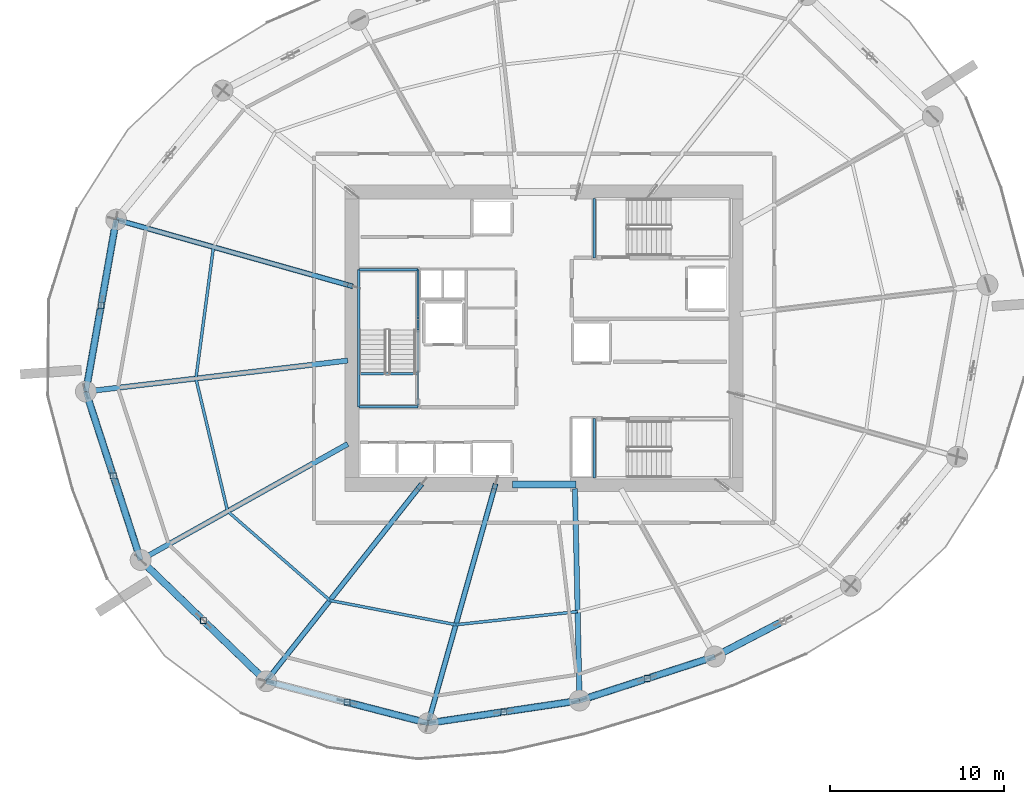
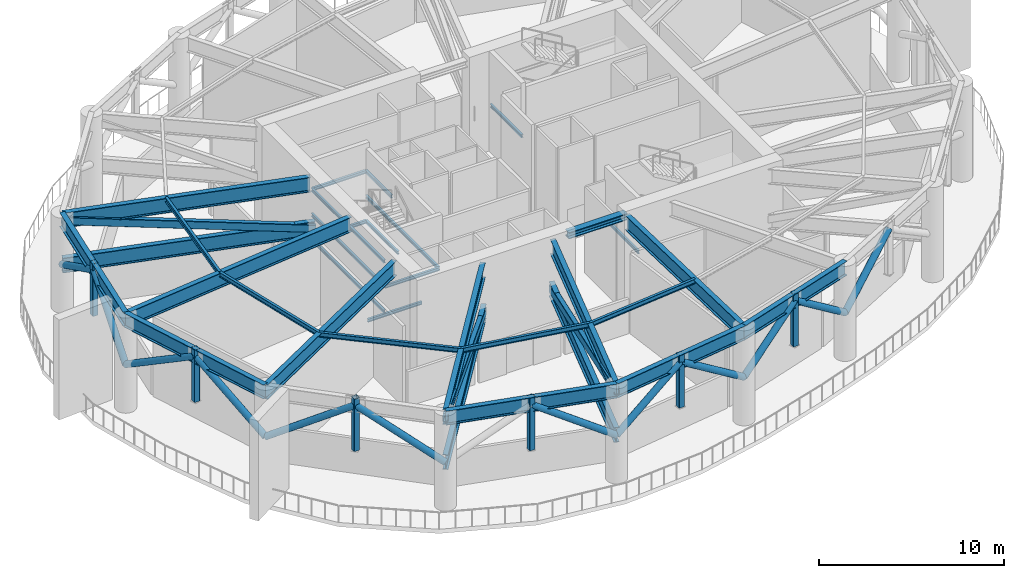
# One storey, part 5 of 19: 32 beams, 21 members.
"""IFC4 building model written with IfcOpenShell, lengths in metres."""

from ifc_helpers import new_model, si_unit, direction, frame, origin, origin_2d, place, context, subcontext, project, spatial, hollow_rectangle, hollow_circle, i_section, extrude, material, material_profile, profile_set, type_object, element, save


model = new_model("IFC4")

# Units and contexts
model_context = context("Model", 3, precision=1e-05, world=origin(), true_north=direction((0.0, 1.0)))
body_context = subcontext(model_context, "Body", "Model", "MODEL_VIEW")
ifc_project = project(units=[si_unit("LENGTHUNIT", "METRE"), si_unit("AREAUNIT", "SQUARE_METRE"), si_unit("VOLUMEUNIT", "CUBIC_METRE"), si_unit("PLANEANGLEUNIT", "RADIAN"), si_unit("MASSUNIT", "GRAM", prefix="KILO")], contexts=[model_context])

# Site, building, storey
site_placement = place(None, origin())
site = spatial("IfcSite", under=ifc_project, at=site_placement, CompositionType="ELEMENT")
building_placement = place(site_placement, origin())
building = spatial("IfcBuilding", under=site, at=building_placement, Name="Kazma Halo Residences", CompositionType="ELEMENT")
storey_placement = place(building_placement, frame((0.0, 0.0, 116.39990234375)))
storey = spatial("IfcBuildingStorey", under=building, at=storey_placement, Name="L29", CompositionType="ELEMENT", Elevation=116.39990234375)

# Beams
ifc_material = material(Name="Steel S355", Category="steel")
ifc_material_profile_1 = material_profile(ifc_material, i_section(OverallWidth=0.30908203125, OverallDepth=0.931884765625, WebThickness=0.02099609375, FlangeThickness=0.034423828125, FilletRadius=0.02392578125, at=origin_2d()), Name="W920x313")
ifc_profile_set_1 = profile_set([ifc_material_profile_1], Name="Steel S355")
beam_type_1 = type_object("IfcBeamType", Name="BM-BELT-W920A", PredefinedType="BEAM", material=ifc_profile_set_1)
beam_1_placement = place(storey_placement, frame((23.844482421875, 48.8125, 5.814208984375), z_axis=(-0.1736478634, -0.984807808426, 0.0), x_axis=(0.984807808426, -0.1736478634, 0.0)))
element("IfcBeam", 1, at=beam_1_placement, inside=storey, type_object=beam_type_1, Name="L29 perimeter ring beam 07", PredefinedType="BEAM", context=body_context, shape_type="SweptSolid", body=[
    extrude(i_section(OverallWidth=0.30908203125, OverallDepth=0.931884765625, WebThickness=0.02099609375, FlangeThickness=0.034423828125, FilletRadius=0.02392578125, at=origin_2d()), origin(), (0.0, 0.0, 1.0), 10.030029296875),
])
beam_2_placement = place(storey_placement, frame((22.102783203125, 38.934814453125, 5.814208984375), z_axis=(0.30902042344, -0.951055402118, 0.0), x_axis=(0.951055402118, 0.30902042344, 0.0)))
element("IfcBeam", 2, at=beam_2_placement, inside=storey, type_object=beam_type_1, Name="L29 perimeter ring beam 08", PredefinedType="BEAM", context=body_context, shape_type="SweptSolid", body=[
    extrude(i_section(OverallWidth=0.30908203125, OverallDepth=0.931884765625, WebThickness=0.02099609375, FlangeThickness=0.034423828125, FilletRadius=0.02392578125, at=origin_2d()), origin(), (0.0, 0.0, 1.0), 10.175048828125),
])
beam_3_placement = place(storey_placement, frame((32.462158203125, 22.290283203125, 5.814208984375), z_axis=(0.968129383871, -0.250450586115, 0.0), x_axis=(0.250450586115, 0.968129383871, 0.0)))
element("IfcBeam", 3, at=beam_3_placement, inside=storey, type_object=beam_type_1, Name="L29 perimeter ring beam 10", PredefinedType="BEAM", context=body_context, shape_type="SweptSolid", body=[
    extrude(i_section(OverallWidth=0.30908203125, OverallDepth=0.931884765625, WebThickness=0.02099609375, FlangeThickness=0.034423828125, FilletRadius=0.02392578125, at=origin_2d()), origin(), (0.0, 0.0, 1.0), 9.606689453125),
])
beam_4_placement = place(storey_placement, frame((41.7626953125, 19.88427734375, 5.814208984375), z_axis=(0.989037895596, 0.147661914772, 0.0), x_axis=(-0.147661914772, 0.989037895596, 0.0)))
element("IfcBeam", 4, at=beam_4_placement, inside=storey, type_object=beam_type_1, Name="L29 perimeter ring beam 11", PredefinedType="BEAM", context=body_context, shape_type="SweptSolid", body=[
    extrude(i_section(OverallWidth=0.30908203125, OverallDepth=0.931884765625, WebThickness=0.02099609375, FlangeThickness=0.034423828125, FilletRadius=0.02392578125, at=origin_2d()), origin(), (0.0, 0.0, 1.0), 8.797607421875),
])
beam_5_placement = place(storey_placement, frame((50.4638671875, 21.183349609375, 5.814208984375), z_axis=(0.951050080811, 0.309036800058, 0.0), x_axis=(-0.309036800058, 0.951050080811, 0.0)))
element("IfcBeam", 5, at=beam_5_placement, inside=storey, type_object=beam_type_1, Name="L29 perimeter ring beam 12", PredefinedType="BEAM", context=body_context, shape_type="SweptSolid", body=[
    extrude(i_section(OverallWidth=0.30908203125, OverallDepth=0.931884765625, WebThickness=0.02099609375, FlangeThickness=0.034423828125, FilletRadius=0.02392578125, at=origin_2d()), origin(), (0.0, 0.0, 1.0), 8.178955078125),
])
ifc_material_profile_2 = material_profile(ifc_material, i_section(OverallWidth=0.408935546875, OverallDepth=0.425048828125, WebThickness=0.03271484375, FlangeThickness=0.052490234375, FilletRadius=0.02001953125, at=origin_2d()), Name="W360x421")
ifc_profile_set_2 = profile_set([ifc_material_profile_2], Name="Steel S355")
beam_type_2 = type_object("IfcBeamType", Name="BM-CORE-W360H", PredefinedType="BEAM", material=ifc_profile_set_2)
beam_6_placement = place(storey_placement, frame((46.60009765625, 33.60009765625, 6.067626953125), z_axis=(1.0, 0.0, 0.0), x_axis=(0.0, 1.0, 0.0)))
element("IfcBeam", 6, at=beam_6_placement, inside=storey, type_object=beam_type_2, Name="L29 core coupling beam S", PredefinedType="BEAM", context=body_context, shape_type="SweptSolid", body=[
    extrude(i_section(OverallWidth=0.408935546875, OverallDepth=0.425048828125, WebThickness=0.03271484375, FlangeThickness=0.052490234375, FilletRadius=0.02001953125, at=origin_2d()), origin(), (0.0, 0.0, 1.0), 3.64990234375),
])
ifc_material_profile_3 = material_profile(ifc_material, i_section(OverallWidth=0.300048828125, OverallDepth=0.98193359375, WebThickness=0.0166015625, FlangeThickness=0.032958984375, FilletRadius=0.02587890625, at=origin_2d()), Name="W1000x296")
ifc_profile_set_3 = profile_set([ifc_material_profile_3], Name="Steel S355")
beam_type_3 = type_object("IfcBeamType", Name="BM-OUTR-W1000C", PredefinedType="BEAM", material=ifc_profile_set_3)
beam_7_placement = place(storey_placement, frame((37.14990234375, 45.06005859375, 5.7890625), z_axis=(-0.962456655809, 0.27143541716, 0.0), x_axis=(-0.27143541716, -0.962456655809, 0.0)))
element("IfcBeam", 7, at=beam_7_placement, inside=storey, type_object=beam_type_3, Name="L29 radial floor beam 07", PredefinedType="BEAM", context=body_context, shape_type="SweptSolid", body=[
    extrude(i_section(OverallWidth=0.300048828125, OverallDepth=0.98193359375, WebThickness=0.0166015625, FlangeThickness=0.032958984375, FilletRadius=0.02587890625, at=origin_2d()), origin(), (0.0, 0.0, 1.0), 13.824462890625),
])
beam_8_placement = place(storey_placement, frame((37.14990234375, 40.7158203125, 5.7890625), z_axis=(-0.993067979746, -0.117541429303, 0.0), x_axis=(0.117541429303, -0.993067979746, 0.0)))
element("IfcBeam", 8, at=beam_8_placement, inside=storey, type_object=beam_type_3, Name="L29 radial floor beam 08", PredefinedType="BEAM", context=body_context, shape_type="SweptSolid", body=[
    extrude(i_section(OverallWidth=0.300048828125, OverallDepth=0.98193359375, WebThickness=0.0166015625, FlangeThickness=0.032958984375, FilletRadius=0.02587890625, at=origin_2d()), origin(), (0.0, 0.0, 1.0), 15.152099609375),
])
beam_9_placement = place(storey_placement, frame((37.14990234375, 35.923583984375, 5.7890625), z_axis=(-0.872500217681, -0.48861372284, 0.0), x_axis=(0.48861372284, -0.872500217681, 0.0)))
element("IfcBeam", 9, at=beam_9_placement, inside=storey, type_object=beam_type_3, Name="L29 radial floor beam 09", PredefinedType="BEAM", context=body_context, shape_type="SweptSolid", body=[
    extrude(i_section(OverallWidth=0.300048828125, OverallDepth=0.98193359375, WebThickness=0.0166015625, FlangeThickness=0.032958984375, FilletRadius=0.02587890625, at=origin_2d()), origin(), (0.0, 0.0, 1.0), 13.64208984375),
])
beam_10_placement = place(storey_placement, frame((41.180908203125, 33.35009765625, 5.7890625), z_axis=(-0.619089364637, -0.785320545123, 0.0), x_axis=(0.785320545123, -0.619089364637, 0.0)))
element("IfcBeam", 10, at=beam_10_placement, inside=storey, type_object=beam_type_3, Name="L29 radial floor beam 10", PredefinedType="BEAM", context=body_context, shape_type="SweptSolid", body=[
    extrude(i_section(OverallWidth=0.300048828125, OverallDepth=0.98193359375, WebThickness=0.0166015625, FlangeThickness=0.032958984375, FilletRadius=0.02587890625, at=origin_2d()), origin(), (0.0, 0.0, 1.0), 14.083251953125),
])
beam_11_placement = place(storey_placement, frame((45.560302734375, 33.35009765625, 5.7890625), z_axis=(-0.271430738381, -0.962457975323, 0.0), x_axis=(0.962457975323, -0.271430738381, 0.0)))
element("IfcBeam", 11, at=beam_11_placement, inside=storey, type_object=beam_type_3, Name="L29 radial floor beam 11", PredefinedType="BEAM", context=body_context, shape_type="SweptSolid", body=[
    extrude(i_section(OverallWidth=0.300048828125, OverallDepth=0.98193359375, WebThickness=0.0166015625, FlangeThickness=0.032958984375, FilletRadius=0.02587890625, at=origin_2d()), origin(), (0.0, 0.0, 1.0), 13.990966796875),
])
beam_12_placement = place(storey_placement, frame((50.199951171875, 33.35009765625, 5.7890625), z_axis=(0.021686480808, -0.99976482062, 0.0), x_axis=(0.99976482062, 0.021686480808, 0.0)))
element("IfcBeam", 12, at=beam_12_placement, inside=storey, type_object=beam_type_3, Name="L29 radial floor beam 12", PredefinedType="BEAM", context=body_context, shape_type="SweptSolid", body=[
    extrude(i_section(OverallWidth=0.300048828125, OverallDepth=0.98193359375, WebThickness=0.0166015625, FlangeThickness=0.032958984375, FilletRadius=0.02587890625, at=origin_2d()), origin(), (0.0, 0.0, 1.0), 12.169677734375),
])
beam_13_placement = place(storey_placement, frame((37.39990234375, 44.989501953125, 2.820068359375), z_axis=(-0.962455714271, 0.271438755647, 0.0), x_axis=(-0.271438755647, -0.962455714271, 0.0)))
element("IfcBeam", 13, at=beam_13_placement, inside=storey, type_object=beam_type_3, Name="L29 radial outrigger bottom chord 04", PredefinedType="BEAM", context=body_context, shape_type="SweptSolid", body=[
    extrude(i_section(OverallWidth=0.300048828125, OverallDepth=0.98193359375, WebThickness=0.0166015625, FlangeThickness=0.032958984375, FilletRadius=0.02587890625, at=origin_2d()), origin(), (0.0, 0.0, 1.0), 14.084228515625),
])
beam_14_placement = place(storey_placement, frame((41.3779296875, 33.60009765625, 2.820068359375), z_axis=(-0.61908678416, -0.785322579376, 0.0), x_axis=(0.785322579376, -0.61908678416, 0.0)))
element("IfcBeam", 14, at=beam_14_placement, inside=storey, type_object=beam_type_3, Name="L29 radial outrigger bottom chord 05", PredefinedType="BEAM", context=body_context, shape_type="SweptSolid", body=[
    extrude(i_section(OverallWidth=0.300048828125, OverallDepth=0.98193359375, WebThickness=0.0166015625, FlangeThickness=0.032958984375, FilletRadius=0.02587890625, at=origin_2d()), origin(), (0.0, 0.0, 1.0), 14.4013671875),
])
beam_15_placement = place(storey_placement, frame((45.631103515625, 33.60009765625, 2.820068359375), z_axis=(-0.271449992475, -0.962452545108, 0.0), x_axis=(0.962452545108, -0.271449992475, 0.0)))
element("IfcBeam", 15, at=beam_15_placement, inside=storey, type_object=beam_type_3, Name="L29 radial outrigger bottom chord 06", PredefinedType="BEAM", context=body_context, shape_type="SweptSolid", body=[
    extrude(i_section(OverallWidth=0.300048828125, OverallDepth=0.98193359375, WebThickness=0.0166015625, FlangeThickness=0.032958984375, FilletRadius=0.02587890625, at=origin_2d()), origin(), (0.0, 0.0, 1.0), 14.2509765625),
])
ifc_material_profile_4 = material_profile(ifc_material, i_section(OverallWidth=0.1650390625, OverallDepth=0.31005859375, WebThickness=0.005859375, FlangeThickness=0.009765625, FilletRadius=0.011962890625, at=origin_2d()), Name="W310x38.7")
ifc_profile_set_4 = profile_set([ifc_material_profile_4], Name="Steel S355")
beam_type_4 = type_object("IfcBeamType", Name="BM-SEC-W310B", PredefinedType="JOIST", material=ifc_profile_set_4)
beam_16_placement = place(storey_placement, frame((29.432861328125, 47.236328125, 6.125), z_axis=(-0.132566612337, -0.991174098377, 0.0), x_axis=(0.991174098377, -0.132566612337, 0.0)))
element("IfcBeam", 16, at=beam_16_placement, inside=storey, type_object=beam_type_4, Name="L29 circumferential floor joist 07", PredefinedType="JOIST", context=body_context, shape_type="SweptSolid", body=[
    extrude(i_section(OverallWidth=0.1650390625, OverallDepth=0.31005859375, WebThickness=0.005859375, FlangeThickness=0.009765625, FilletRadius=0.011962890625, at=origin_2d()), origin(), (0.0, 0.0, 1.0), 7.62060546875),
])
beam_17_placement = place(storey_placement, frame((28.422607421875, 39.682861328125, 6.125), z_axis=(0.232609711468, -0.972570163089, 0.0), x_axis=(0.972570163089, 0.232609711468, 0.0)))
element("IfcBeam", 17, at=beam_17_placement, inside=storey, type_object=beam_type_4, Name="L29 circumferential floor joist 08", PredefinedType="JOIST", context=body_context, shape_type="SweptSolid", body=[
    extrude(i_section(OverallWidth=0.1650390625, OverallDepth=0.31005859375, WebThickness=0.005859375, FlangeThickness=0.009765625, FilletRadius=0.011962890625, at=origin_2d()), origin(), (0.0, 0.0, 1.0), 7.84033203125),
])
beam_18_placement = place(storey_placement, frame((30.246337890625, 32.0576171875, 6.125), z_axis=(0.753888453115, -0.657002435506, 0.0), x_axis=(0.657002435506, 0.753888453115, 0.0)))
element("IfcBeam", 18, at=beam_18_placement, inside=storey, type_object=beam_type_4, Name="L29 circumferential floor joist 09", PredefinedType="JOIST", context=body_context, shape_type="SweptSolid", body=[
    extrude(i_section(OverallWidth=0.1650390625, OverallDepth=0.31005859375, WebThickness=0.005859375, FlangeThickness=0.009765625, FilletRadius=0.011962890625, at=origin_2d()), origin(), (0.0, 0.0, 1.0), 7.79638671875),
])
beam_19_placement = place(storey_placement, frame((36.1240234375, 26.935302734375, 6.125), z_axis=(0.981894944098, -0.189426288449, 0.0), x_axis=(0.189426288449, 0.981894944098, 0.0)))
element("IfcBeam", 19, at=beam_19_placement, inside=storey, type_object=beam_type_4, Name="L29 circumferential floor joist 10", PredefinedType="JOIST", context=body_context, shape_type="SweptSolid", body=[
    extrude(i_section(OverallWidth=0.1650390625, OverallDepth=0.31005859375, WebThickness=0.005859375, FlangeThickness=0.009765625, FilletRadius=0.011962890625, at=origin_2d()), origin(), (0.0, 0.0, 1.0), 7.366943359375),
])
beam_20_placement = place(storey_placement, frame((43.357666015625, 25.539794921875, 6.125), z_axis=(0.994246365441, 0.107117528012, 0.0), x_axis=(-0.107117528012, 0.994246365441, 0.0)))
element("IfcBeam", 20, at=beam_20_placement, inside=storey, type_object=beam_type_4, Name="L29 circumferential floor joist 11", PredefinedType="JOIST", context=body_context, shape_type="SweptSolid", body=[
    extrude(i_section(OverallWidth=0.1650390625, OverallDepth=0.31005859375, WebThickness=0.005859375, FlangeThickness=0.009765625, FilletRadius=0.011962890625, at=origin_2d()), origin(), (0.0, 0.0, 1.0), 7.035888671875),
])
ifc_material_profile_5 = material_profile(ifc_material, i_section(OverallWidth=0.133056640625, OverallDepth=0.20703125, WebThickness=0.005859375, FlangeThickness=0.00830078125, FilletRadius=0.010009765625, at=origin_2d()), Name="W200x26.6")
ifc_profile_set_5 = profile_set([ifc_material_profile_5], Name="Steel S355")
beam_type_5 = type_object("IfcBeamType", Name="BM-TRIM-W200", PredefinedType="BEAM", material=ifc_profile_set_5)
beam_21_placement = place(storey_placement, frame((37.800048828125, 39.949951171875, -0.389892578125), z_axis=(1.0, 0.0, 0.0), x_axis=(0.0, 1.0, 0.0)))
element("IfcBeam", 21, at=beam_21_placement, inside=storey, type_object=beam_type_5, Name="L29 ST-01 floor landing support beam", PredefinedType="BEAM", context=body_context, shape_type="SweptSolid", body=[
    extrude(i_section(OverallWidth=0.133056640625, OverallDepth=0.20703125, WebThickness=0.005859375, FlangeThickness=0.00830078125, FilletRadius=0.010009765625, at=origin_2d()), origin(), (0.0, 0.0, 1.0), 3.3798828125),
])
beam_22_placement = place(storey_placement, frame((37.780029296875, 38.06005859375, 1.34521484375), z_axis=(0.0, 1.0, 0.0), x_axis=(-1.0, 0.0, 0.0)))
element("IfcBeam", 22, at=beam_22_placement, inside=storey, type_object=beam_type_5, Name="L29 ST-01 landing west wall ledger", PredefinedType="BEAM", context=body_context, shape_type="SweptSolid", body=[
    extrude(i_section(OverallWidth=0.133056640625, OverallDepth=0.20703125, WebThickness=0.005859375, FlangeThickness=0.00830078125, FilletRadius=0.010009765625, at=origin_2d()), origin(), (0.0, 0.0, 1.0), 7.8798828125),
])
beam_23_placement = place(storey_placement, frame((41.179931640625, 42.469970703125, 1.34521484375), z_axis=(0.0, 1.0, 0.0), x_axis=(-1.0, 0.0, 0.0)))
element("IfcBeam", 23, at=beam_23_placement, inside=storey, type_object=beam_type_5, Name="L29 ST-01 landing east wall ledger", PredefinedType="BEAM", context=body_context, shape_type="SweptSolid", body=[
    extrude(i_section(OverallWidth=0.133056640625, OverallDepth=0.20703125, WebThickness=0.005859375, FlangeThickness=0.00830078125, FilletRadius=0.010009765625, at=origin_2d()), origin(), (0.0, 0.0, 1.0), 3.469970703125),
])
beam_24_placement = place(storey_placement, frame((37.780029296875, 45.93994140625, 1.34521484375), z_axis=(1.0, 0.0, 0.0), x_axis=(0.0, 1.0, 0.0)))
element("IfcBeam", 24, at=beam_24_placement, inside=storey, type_object=beam_type_5, Name="L29 ST-01 landing end wall ledger", PredefinedType="BEAM", context=body_context, shape_type="SweptSolid", body=[
    extrude(i_section(OverallWidth=0.133056640625, OverallDepth=0.20703125, WebThickness=0.005859375, FlangeThickness=0.00830078125, FilletRadius=0.010009765625, at=origin_2d()), origin(), (0.0, 0.0, 1.0), 3.39990234375),
])
for number, where, z_axis, x_axis, name in (
    (25, (37.780029296875, 38.06005859375, 2.9951171875), (0.0, 1.0, 0.0), (-1.0, 0.0, 0.0), "L29 ST-01 landing west wall ledger"),
    (26, (41.179931640625, 38.06005859375, 2.9951171875), (0.0, 1.0, 0.0), (-1.0, 0.0, 0.0), "L29 ST-01 landing east wall ledger"),
):
    element("IfcBeam", number, at=place(storey_placement, frame(where, z_axis=z_axis, x_axis=x_axis)), inside=storey, type_object=beam_type_5, Name=name, PredefinedType="BEAM", context=body_context, shape_type="SweptSolid", body=[
        extrude(i_section(OverallWidth=0.133056640625, OverallDepth=0.20703125, WebThickness=0.005859375, FlangeThickness=0.00830078125, FilletRadius=0.010009765625, at=origin_2d()), origin(), (0.0, 0.0, 1.0), 7.8798828125),
    ])
beam_25_placement = place(storey_placement, frame((37.780029296875, 38.06005859375, 2.9951171875), z_axis=(1.0, 0.0, 0.0), x_axis=(0.0, 1.0, 0.0)))
element("IfcBeam", 27, at=beam_25_placement, inside=storey, type_object=beam_type_5, Name="L29 ST-01 landing end wall ledger", PredefinedType="BEAM", context=body_context, shape_type="SweptSolid", body=[
    extrude(i_section(OverallWidth=0.133056640625, OverallDepth=0.20703125, WebThickness=0.005859375, FlangeThickness=0.00830078125, FilletRadius=0.010009765625, at=origin_2d()), origin(), (0.0, 0.0, 1.0), 3.39990234375),
])
beam_26_placement = place(storey_placement, frame((37.780029296875, 38.06005859375, 4.64501953125), z_axis=(0.0, 1.0, 0.0), x_axis=(-1.0, 0.0, 0.0)))
element("IfcBeam", 28, at=beam_26_placement, inside=storey, type_object=beam_type_5, Name="L29 ST-01 landing west wall ledger", PredefinedType="BEAM", context=body_context, shape_type="SweptSolid", body=[
    extrude(i_section(OverallWidth=0.133056640625, OverallDepth=0.20703125, WebThickness=0.005859375, FlangeThickness=0.00830078125, FilletRadius=0.010009765625, at=origin_2d()), origin(), (0.0, 0.0, 1.0), 7.8798828125),
])
beam_27_placement = place(storey_placement, frame((41.179931640625, 43.169921875, 4.64501953125), z_axis=(0.0, 1.0, 0.0), x_axis=(-1.0, 0.0, 0.0)))
element("IfcBeam", 29, at=beam_27_placement, inside=storey, type_object=beam_type_5, Name="L29 ST-01 landing east wall ledger", PredefinedType="BEAM", context=body_context, shape_type="SweptSolid", body=[
    extrude(i_section(OverallWidth=0.133056640625, OverallDepth=0.20703125, WebThickness=0.005859375, FlangeThickness=0.00830078125, FilletRadius=0.010009765625, at=origin_2d()), origin(), (0.0, 0.0, 1.0), 2.77001953125),
])
for number, where, z_axis, x_axis, name in (
    (30, (37.780029296875, 45.93994140625, 4.64501953125), (1.0, 0.0, 0.0), (0.0, 1.0, 0.0), "L29 ST-01 landing end wall ledger"),
    (31, (51.31005859375, 46.6201171875, 2.9951171875), (0.0, 1.0, 0.0), (-1.0, 0.0, 0.0), "L29 ST-02 landing end wall ledger"),
    (32, (51.31005859375, 33.97998046875, 2.9951171875), (0.0, 1.0, 0.0), (-1.0, 0.0, 0.0), "L29 ST-03 landing end wall ledger"),
):
    element("IfcBeam", number, at=place(storey_placement, frame(where, z_axis=z_axis, x_axis=x_axis)), inside=storey, type_object=beam_type_5, Name=name, PredefinedType="BEAM", context=body_context, shape_type="SweptSolid", body=[
        extrude(i_section(OverallWidth=0.133056640625, OverallDepth=0.20703125, WebThickness=0.005859375, FlangeThickness=0.00830078125, FilletRadius=0.010009765625, at=origin_2d()), origin(), (0.0, 0.0, 1.0), 3.39990234375),
    ])

# Members
ifc_material_profile_6 = material_profile(ifc_material, hollow_rectangle(XDim=0.300048828125, YDim=0.5, WallThickness=0.02001953125, InnerFilletRadius=0.02001953125, OuterFilletRadius=0.0400390625, at=origin_2d()), Name="RHS500x300x20")
ifc_profile_set_6 = profile_set([ifc_material_profile_6], Name="Steel S355")
member_type_1 = type_object("IfcMemberType", Name="MBR-OUTR-RHS500", PredefinedType="BRACE", material=ifc_profile_set_6)
member_1_placement = place(storey_placement, frame((37.39990234375, 44.989501953125, 2.820068359375), z_axis=(-0.942148656758, 0.265711611696, 0.204336115208), x_axis=(-0.271438755647, -0.962455714271, 0.0)))
element("IfcMember", 33, at=member_1_placement, inside=storey, type_object=member_type_1, Name="L29 radial outrigger truss brace 04", PredefinedType="BRACE", context=body_context, shape_type="SweptSolid", body=[
    extrude(hollow_rectangle(XDim=0.300048828125, YDim=0.5, WallThickness=0.02001953125, InnerFilletRadius=0.02001953125, OuterFilletRadius=0.0400390625, at=origin_2d()), origin(), (0.0, 0.0, 1.0), 14.3876953125),
])
member_2_placement = place(storey_placement, frame((41.3779296875, 33.60009765625, 2.820068359375), z_axis=(-0.60657662938, -0.769453225884, 0.200016314001), x_axis=(0.785322579376, -0.61908678416, 0.0)))
element("IfcMember", 34, at=member_2_placement, inside=storey, type_object=member_type_1, Name="L29 radial outrigger truss brace 05", PredefinedType="BRACE", context=body_context, shape_type="SweptSolid", body=[
    extrude(hollow_rectangle(XDim=0.300048828125, YDim=0.5, WallThickness=0.02001953125, InnerFilletRadius=0.02001953125, OuterFilletRadius=0.0400390625, at=origin_2d()), origin(), (0.0, 0.0, 1.0), 14.698486328125),
])
member_3_placement = place(storey_placement, frame((45.631103515625, 33.60009765625, 2.820068359375), z_axis=(-0.265851731015, -0.942603360581, 0.202043959917), x_axis=(0.962452545108, -0.271449992475, 0.0)))
element("IfcMember", 35, at=member_3_placement, inside=storey, type_object=member_type_1, Name="L29 radial outrigger truss brace 06", PredefinedType="BRACE", context=body_context, shape_type="SweptSolid", body=[
    extrude(hollow_rectangle(XDim=0.300048828125, YDim=0.5, WallThickness=0.02001953125, InnerFilletRadius=0.02001953125, OuterFilletRadius=0.0400390625, at=origin_2d()), origin(), (0.0, 0.0, 1.0), 14.551025390625),
])
ifc_material_profile_7 = material_profile(ifc_material, hollow_rectangle(XDim=0.35009765625, YDim=0.35009765625, WallThickness=0.01611328125, InnerFilletRadius=0.01611328125, OuterFilletRadius=0.031982421875, at=origin_2d()), Name="SHS350x350x16")
ifc_profile_set_7 = profile_set([ifc_material_profile_7], Name="Steel S355")
member_type_2 = type_object("IfcMemberType", Name="MBR-POST-SHS350", PredefinedType="STRUT", material=ifc_profile_set_7)
for number, where, z_axis, x_axis, name in (
    (36, (22.9736328125, 43.873779296875, 2.820068359375), (0.0, 0.0, 1.0), (1.0, 0.0, 0.0), "L29 belt-truss web post 07"),
    (37, (23.6748046875, 34.096435546875, 2.820068359375), (0.0, 0.0, 1.0), (1.0, 0.0, 0.0), "L29 belt-truss web post 08"),
    (38, (28.8544921875, 25.77392578125, 2.820068359375), (0.0, 0.0, 1.0), (1.0, 0.0, 0.0), "L29 belt-truss web post 09"),
    (39, (37.112548828125, 21.087158203125, 2.820068359375), (0.0, 0.0, 1.0), (1.0, 0.0, 0.0), "L29 belt-truss web post 10"),
    (40, (46.11328125, 20.53369140625, 2.820068359375), (0.0, 0.0, 1.0), (1.0, 0.0, 0.0), "L29 belt-truss web post 11"),
    (41, (54.35302734375, 22.447265625, 2.820068359375), (0.0, 0.0, 1.0), (1.0, 0.0, 0.0), "L29 belt-truss web post 12"),
):
    element("IfcMember", number, at=place(storey_placement, frame(where, z_axis=z_axis, x_axis=x_axis)), inside=storey, type_object=member_type_2, Name=name, PredefinedType="STRUT", context=body_context, shape_type="SweptSolid", body=[
        extrude(hollow_rectangle(XDim=0.35009765625, YDim=0.35009765625, WallThickness=0.01611328125, InnerFilletRadius=0.01611328125, OuterFilletRadius=0.031982421875, at=origin_2d()), origin(), (0.0, 0.0, 1.0), 3.4599609375),
    ])
ifc_material_profile_8 = material_profile(ifc_material, hollow_circle(Radius=0.203125, WallThickness=0.01611328125, at=origin_2d()), Name="CHS406.4x16")
ifc_profile_set_8 = profile_set([ifc_material_profile_8], Name="Steel S355")
member_type_3 = type_object("IfcMemberType", Name="MBR-WIND-CHS406", PredefinedType="BRACE", material=ifc_profile_set_8)
for number, where, z_axis, x_axis, name in (
    (42, (23.844482421875, 48.8125, 2.820068359375), (-0.149807093736, -0.849578833528, 0.505740684826), (0.984807074435, -0.173652026027, 0.0), "L29 belt-truss chevron diagonal 07A"),
    (43, (22.102783203125, 38.934814453125, 2.820068359375), (0.149801748673, 0.849590517427, 0.505722640181), (-0.984808542364, 0.17364370097, 0.0), "L29 belt-truss chevron diagonal 07B"),
):
    element("IfcMember", number, at=place(storey_placement, frame(where, z_axis=z_axis, x_axis=x_axis)), inside=storey, type_object=member_type_3, Name=name, PredefinedType="BRACE", context=body_context, shape_type="SweptSolid", body=[
        extrude(hollow_circle(Radius=0.203125, WallThickness=0.01611328125, at=origin_2d()), origin(), (0.0, 0.0, 1.0), 5.813232421875),
    ])
member_4_placement = place(storey_placement, frame((22.102783203125, 38.934814453125, 2.820068359375), z_axis=(0.267544050279, -0.823448980965, 0.500351833121), x_axis=(0.951060162631, 0.309005771883, 0.0)))
element("IfcMember", 44, at=member_4_placement, inside=storey, type_object=member_type_3, Name="L29 belt-truss chevron diagonal 08A", PredefinedType="BRACE", context=body_context, shape_type="SweptSolid", body=[
    extrude(hollow_circle(Radius=0.203125, WallThickness=0.01611328125, at=origin_2d()), origin(), (0.0, 0.0, 1.0), 5.875732421875),
])
member_5_placement = place(storey_placement, frame((25.2470703125, 29.2578125, 2.820068359375), z_axis=(-0.267573471179, 0.823453202687, 0.500329152165), x_axis=(-0.951050641667, -0.309035074037, 0.0)))
element("IfcMember", 45, at=member_5_placement, inside=storey, type_object=member_type_3, Name="L29 belt-truss chevron diagonal 08B", PredefinedType="BRACE", context=body_context, shape_type="SweptSolid", body=[
    extrude(hollow_circle(Radius=0.203125, WallThickness=0.01611328125, at=origin_2d()), origin(), (0.0, 0.0, 1.0), 5.8759765625),
])
for number, where, z_axis, x_axis, name in (
    (46, (25.2470703125, 29.2578125, 2.820068359375), (0.620548535274, -0.599298023712, 0.505728577543), (0.694683123499, 0.719315895783, 0.0), "L29 belt-truss chevron diagonal 09A"),
    (47, (32.462158203125, 22.290283203125, 2.820068359375), (-0.620589977388, 0.599255490786, 0.50572812531), (-0.69463360751, -0.719363712817, 0.0), "L29 belt-truss chevron diagonal 09B"),
):
    element("IfcMember", number, at=place(storey_placement, frame(where, z_axis=z_axis, x_axis=x_axis)), inside=storey, type_object=member_type_3, Name=name, PredefinedType="BRACE", context=body_context, shape_type="SweptSolid", body=[
        extrude(hollow_circle(Radius=0.203125, WallThickness=0.01611328125, at=origin_2d()), origin(), (0.0, 0.0, 1.0), 5.813232421875),
    ])
member_6_placement = place(storey_placement, frame((41.7626953125, 19.88427734375, 2.820068359375), z_axis=(-0.825735294172, 0.213597826135, 0.522050948308), x_axis=(-0.250432928038, -0.968133951762, 0.0)))
element("IfcMember", 48, at=member_6_placement, inside=storey, type_object=member_type_3, Name="L29 belt-truss chevron diagonal 10B", PredefinedType="BRACE", context=body_context, shape_type="SweptSolid", body=[
    extrude(hollow_circle(Radius=0.203125, WallThickness=0.01611328125, at=origin_2d()), origin(), (0.0, 0.0, 1.0), 5.631591796875),
])
for number, where, z_axis, x_axis, name in (
    (49, (41.7626953125, 19.88427734375, 2.820068359375), (0.822292243872, 0.122743960084, 0.555670213283), (-0.147634768902, 0.989041948054, 0.0), "L29 belt-truss chevron diagonal 11A"),
    (50, (50.4638671875, 21.183349609375, 2.820068359375), (-0.822287585623, -0.12278940883, 0.555667065436), (0.147689060308, -0.989033842427, 0.0), "L29 belt-truss chevron diagonal 11B"),
):
    element("IfcMember", number, at=place(storey_placement, frame(where, z_axis=z_axis, x_axis=x_axis)), inside=storey, type_object=member_type_3, Name=name, PredefinedType="BRACE", context=body_context, shape_type="SweptSolid", body=[
        extrude(hollow_circle(Radius=0.203125, WallThickness=0.01611328125, at=origin_2d()), origin(), (0.0, 0.0, 1.0), 5.290771484375),
    ])
member_7_placement = place(storey_placement, frame((50.4638671875, 21.183349609375, 2.820068359375), z_axis=(0.772195408951, 0.250951389337, 0.583727376936), x_axis=(-0.309072572907, 0.95103845594, 0.0)))
element("IfcMember", 51, at=member_7_placement, inside=storey, type_object=member_type_3, Name="L29 belt-truss chevron diagonal 12A", PredefinedType="BRACE", context=body_context, shape_type="SweptSolid", body=[
    extrude(hollow_circle(Radius=0.203125, WallThickness=0.01611328125, at=origin_2d()), origin(), (0.0, 0.0, 1.0), 5.036376953125),
])
member_8_placement = place(storey_placement, frame((58.242431640625, 23.7109375, 2.820068359375), z_axis=(-0.77222436993, -0.250896575153, 0.583712627123), x_axis=(0.309001028142, -0.95106170389, 0.0)))
element("IfcMember", 52, at=member_8_placement, inside=storey, type_object=member_type_3, Name="L29 belt-truss chevron diagonal 12B", PredefinedType="BRACE", context=body_context, shape_type="SweptSolid", body=[
    extrude(hollow_circle(Radius=0.203125, WallThickness=0.01611328125, at=origin_2d()), origin(), (0.0, 0.0, 1.0), 5.03662109375),
])
member_9_placement = place(storey_placement, frame((58.242431640625, 23.7109375, 2.820068359375), z_axis=(0.737430120846, 0.383965711505, 0.55566820069), x_axis=(-0.461827998156, 0.886969503489, 0.0)))
element("IfcMember", 53, at=member_9_placement, inside=storey, type_object=member_type_3, Name="L29 belt-truss chevron diagonal 13A", PredefinedType="BRACE", context=body_context, shape_type="SweptSolid", body=[
    extrude(hollow_circle(Radius=0.203125, WallThickness=0.01611328125, at=origin_2d()), origin(), (0.0, 0.0, 1.0), 5.290771484375),
])

save(model, "model.ifc")
